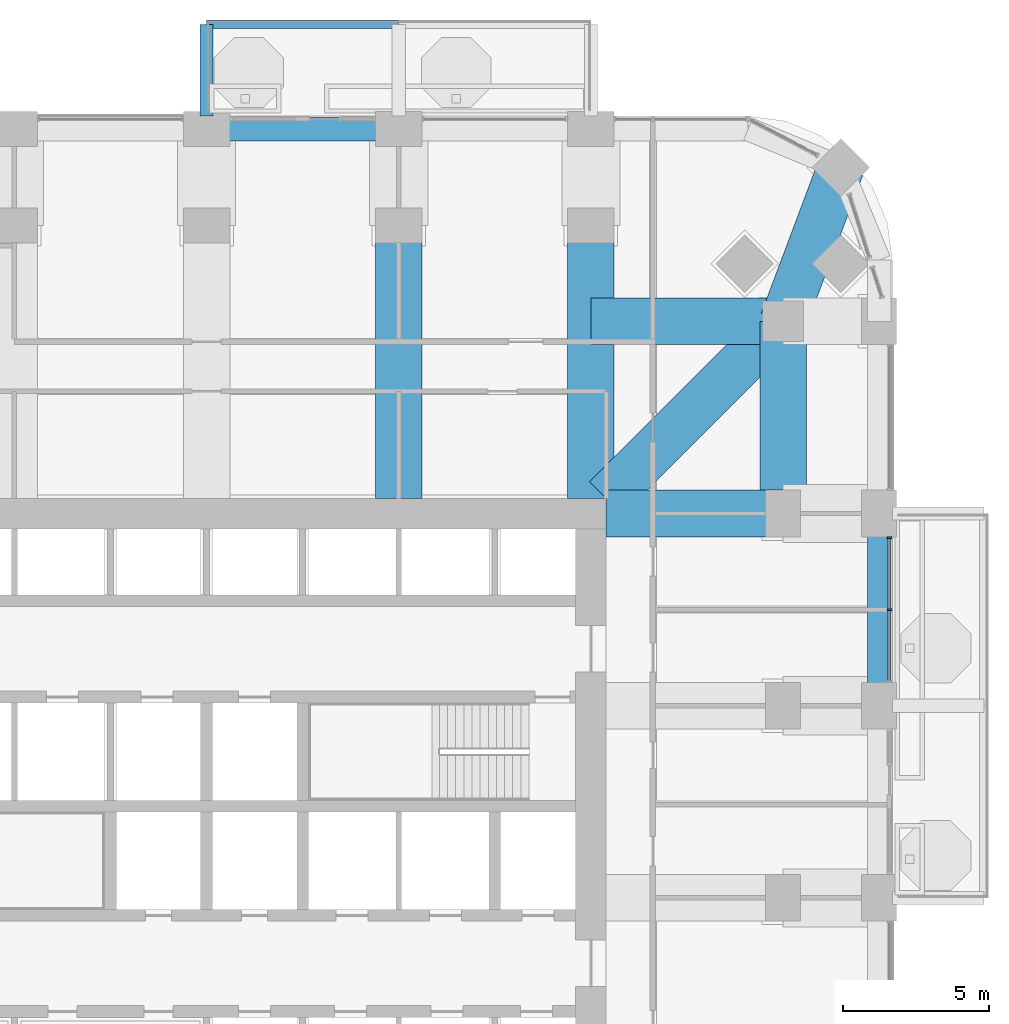
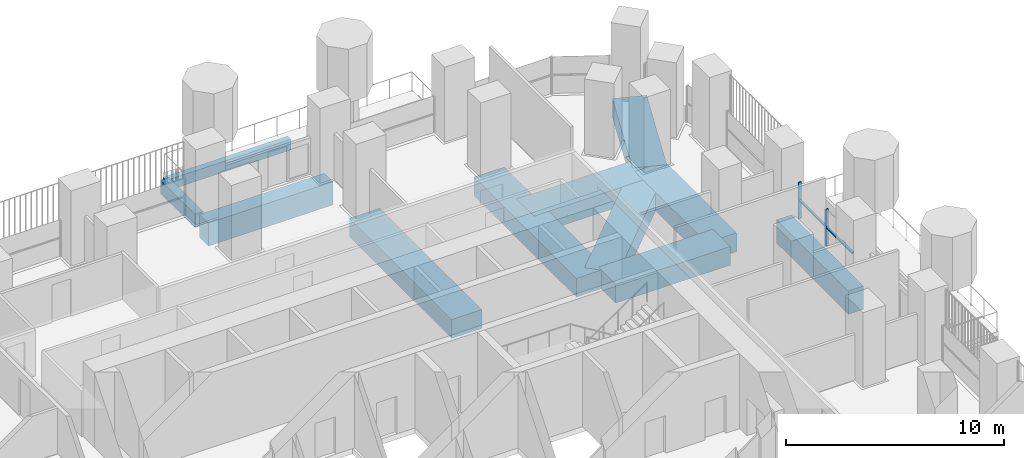
# One storey, part 7 of 22: 11 beams, 4 members, 1 element without a shape of its own.
"""IFC4 building model written with IfcOpenShell, lengths in metres."""

import ifcopenshell
import ifcopenshell.guid

model = None  # the IFC model being written
_history = None  # IfcOwnerHistory: only IFC2X3 demands one
_inside = {}  # id of a spatial element -> (the spatial element, [elements in it])
_under = {}  # id of a project, library or spatial element -> (it, [spatial elements below it])
_declared = {}  # id of a project -> (the project, [libraries it declares])
_typed = {}  # id of a type object -> (the type object, [elements of that type])
_made_of = {}  # id of a material, layer set ... -> (it, [elements and type objects made of it])


def new_model(schema):
    """Start an empty IFC model of exactly this schema.

    Asked for "IFC4X3", IfcOpenShell would pick the latest addendum, in which some entities
    have other attributes; the version numbers below select the first issue.
    IFC2X3 requires an IfcOwnerHistory on every rooted entity: one is made here for all.
    """
    global model, _history
    if schema == "IFC4X3":
        model = ifcopenshell.file(schema_version=(4, 3, 0, 0))
    else:
        model = ifcopenshell.file(schema=schema)
    _inside.clear()
    _under.clear()
    _declared.clear()
    _typed.clear()
    _made_of.clear()
    _history = None
    if model.schema == "IFC2X3":
        org = make("IfcOrganization", Name="unknown")
        user = make(
            "IfcPersonAndOrganization",
            ThePerson=make("IfcPerson", FamilyName="unknown"),
            TheOrganization=org,
        )
        app = make(
            "IfcApplication",
            ApplicationDeveloper=org,
            Version="unknown",
            ApplicationFullName="unknown",
            ApplicationIdentifier="unknown",
        )
        _history = make(
            "IfcOwnerHistory",
            OwningUser=user,
            OwningApplication=app,
            ChangeAction="ADDED",
            CreationDate=0,
        )
    return model


def make(cls, **values):
    """One entity of the class cls with the attributes given. An attribute that is None is left unset."""
    return model.create_entity(
        cls, **{name: value for name, value in values.items() if value is not None}
    )


def rooted(cls, **values):
    """An entity with a GlobalId (a new one), such as an element, a storey or a relation."""
    return make(cls, GlobalId=ifcopenshell.guid.new(), OwnerHistory=_history, **values)


def si_unit(unit_type, name, prefix=None):
    """IfcSIUnit, for example si_unit("LENGTHUNIT", "METRE", prefix="MILLI")."""
    return make("IfcSIUnit", UnitType=unit_type, Prefix=prefix, Name=name)


def assignment(units):
    """IfcUnitAssignment: the units of a project."""
    return None if units is None else make("IfcUnitAssignment", Units=units)


def point(xyz):
    """IfcCartesianPoint."""
    return None if xyz is None else make("IfcCartesianPoint", Coordinates=xyz)


def direction(xyz):
    """IfcDirection."""
    return None if xyz is None else make("IfcDirection", DirectionRatios=xyz)


def frame(location, z_axis=None, x_axis=None):
    """IfcAxis2Placement3D, a coordinate frame: its origin and axes. An axis left out is left unset."""
    return make(
        "IfcAxis2Placement3D",
        Location=point(location),
        Axis=direction(z_axis),
        RefDirection=direction(x_axis),
    )


def frame_2d(location, x_axis=None):
    """IfcAxis2Placement2D, a coordinate frame in the plane: its origin and x axis."""
    return make(
        "IfcAxis2Placement2D", Location=point(location), RefDirection=direction(x_axis)
    )


def origin():
    """The frame at (0, 0, 0) with its axes left unset."""
    return frame((0.0, 0.0, 0.0))


def origin_2d():
    """The frame at (0, 0) in the plane with its x axis left unset."""
    return frame_2d((0.0, 0.0))


def place(relative_to, where):
    """IfcLocalPlacement: puts the frame where relative to a parent placement (None: the world)."""
    return make(
        "IfcLocalPlacement", PlacementRelTo=relative_to, RelativePlacement=where
    )


def context(
    kind, dimensions, precision=None, world=None, true_north=None, identifier=None
):
    """IfcGeometricRepresentationContext, for example the 3D "Model" context."""
    return make(
        "IfcGeometricRepresentationContext",
        ContextIdentifier=identifier,
        ContextType=kind,
        CoordinateSpaceDimension=dimensions,
        Precision=precision,
        WorldCoordinateSystem=world,
        TrueNorth=true_north,
    )


def subcontext(parent, identifier, kind, view, scale=None):
    """IfcGeometricRepresentationSubContext, for example "Body" below "Model"."""
    return make(
        "IfcGeometricRepresentationSubContext",
        ContextIdentifier=identifier,
        ContextType=kind,
        ParentContext=parent,
        TargetScale=scale,
        TargetView=view,
    )


def project(units=None, contexts=None):
    """IfcProject with its units and contexts."""
    return rooted(
        "IfcProject",
        Name="project",
        RepresentationContexts=contexts,
        UnitsInContext=assignment(units),
    )


def spatial(cls, under=None, at=None, **own):
    """A site, building, storey or space (cls), placed at a placement, below another one or the project."""
    s = rooted(cls, ObjectPlacement=at, **own)
    if under is not None:
        _under.setdefault(under.id(), (under, []))[1].append(s)
    return s


def profile(cls, at=None, kind="AREA", **sizes):
    """A parametric profile (cls). Its sizes go by their IFC names, for example OverallWidth=200.0."""
    return make(cls, ProfileType=kind, Position=at, **sizes)


def rectangle(**sizes):
    """IfcRectangleProfileDef."""
    return profile("IfcRectangleProfileDef", **sizes)


def extrude(swept, where, along, depth):
    """IfcExtrudedAreaSolid: the profile swept, set in the frame where, extruded along a direction by depth."""
    return make(
        "IfcExtrudedAreaSolid",
        SweptArea=swept,
        Position=where,
        ExtrudedDirection=direction(along),
        Depth=depth,
    )


def shape(context_of_items, identifier, shape_type, items):
    """IfcShapeRepresentation: the items that make up one representation, for example the "Body"."""
    return make(
        "IfcShapeRepresentation",
        ContextOfItems=context_of_items,
        RepresentationIdentifier=identifier,
        RepresentationType=shape_type,
        Items=items,
    )


def material(Name=None, Category=None):
    """IfcMaterial."""
    return make("IfcMaterial", Name=Name, Category=Category)


def material_profile(
    of_material, cross_section, Name=None, Category=None, Priority=None
):
    """IfcMaterialProfile: a cross section and its material."""
    return make(
        "IfcMaterialProfile",
        Name=Name,
        Material=of_material,
        Profile=cross_section,
        Priority=Priority,
        Category=Category,
    )


def profile_set(profiles, Name=None, composite=None):
    """IfcMaterialProfileSet."""
    return make(
        "IfcMaterialProfileSet",
        Name=Name,
        MaterialProfiles=profiles,
        CompositeProfile=composite,
    )


def made_of(thing, what):
    """Note that an element or type object is made of a material, layer set ...; save() writes the relation."""
    if what is not None:
        _made_of.setdefault(what.id(), (what, []))[1].append(thing)
    return thing


def type_object(cls, material=None, **own):
    """A type object (cls), such as IfcWallType, which elements share."""
    return made_of(rooted(cls, **own), material)


def element(
    cls,
    number,
    at=None,
    inside=None,
    cuts=None,
    type_object=None,
    material=None,
    context=None,
    identifier="Body",
    shape_type=None,
    held_by="IfcProductDefinitionShape",
    body=None,
    shapes=None,
    **own,
):
    """One element of the class cls, such as IfcWall. Its Tag is "e" and its number.

    at: its placement. inside: the storey or other place that contains it. cuts: it is an
    opening in that element (IfcRelVoidsElement). A single representation is given by context,
    identifier, shape_type and body (its items); several are given by shapes. held_by: the class
    of the entity that holds the representations. save() writes the other relations.
    """
    e = rooted(cls, Tag="e%d" % number, ObjectPlacement=at, **own)
    if body is not None:
        shapes = [shape(context, identifier, shape_type, body)]
    if shapes is not None:
        e.Representation = make(held_by, Representations=shapes)
    if inside is not None:
        _inside.setdefault(inside.id(), (inside, []))[1].append(e)
    if cuts is not None:
        rooted(
            "IfcRelVoidsElement", RelatingBuildingElement=cuts, RelatedOpeningElement=e
        )
    if type_object is not None:
        _typed.setdefault(type_object.id(), (type_object, []))[1].append(e)
    return made_of(e, material)


def aggregate(whole, parts):
    """IfcRelAggregates: a whole, such as a stair, and the parts it consists of."""
    return rooted("IfcRelAggregates", RelatingObject=whole, RelatedObjects=parts)


def save(model, path):
    """Write the relations noted so far, then the file.

    IfcRelAggregates (storeys below a building ...), IfcRelContainedInSpatialStructure (elements
    in a storey), IfcRelDefinesByType, IfcRelAssociatesMaterial and IfcRelDeclares: one each for
    every whole, place, type object, material and project.
    """
    for whole, parts in _under.values():
        aggregate(whole, parts)
    for where, things in _inside.values():
        rooted(
            "IfcRelContainedInSpatialStructure",
            RelatedElements=things,
            RelatingStructure=where,
        )
    for kind, things in _typed.values():
        rooted("IfcRelDefinesByType", RelatedObjects=things, RelatingType=kind)
    for what, things in _made_of.values():
        rooted("IfcRelAssociatesMaterial", RelatedObjects=things, RelatingMaterial=what)
    for by, libraries in _declared.values():
        rooted("IfcRelDeclares", RelatingContext=by, RelatedDefinitions=libraries)
    model.write(path)


model = new_model("IFC4")

# Units and contexts
model_context = context("Model", 3, precision=1e-05, world=origin(), true_north=direction((0.0, 1.0)))
body_context = subcontext(model_context, "Body", "Model", "MODEL_VIEW")
ifc_project = project(units=[si_unit("LENGTHUNIT", "METRE"), si_unit("AREAUNIT", "SQUARE_METRE"), si_unit("VOLUMEUNIT", "CUBIC_METRE"), si_unit("PLANEANGLEUNIT", "RADIAN"), si_unit("MASSUNIT", "GRAM", prefix="KILO")], contexts=[model_context])

# Site, building, storey
site_placement = place(None, origin())
site = spatial("IfcSite", under=ifc_project, at=site_placement, CompositionType="ELEMENT")
building_placement = place(site_placement, origin())
building = spatial("IfcBuilding", under=site, at=building_placement, Name="Cobogo Forest Laboratory Tower", CompositionType="ELEMENT")
storey_placement = place(building_placement, frame((0.0, 0.0, 145.199951171875)))
storey = spatial("IfcBuildingStorey", under=building, at=storey_placement, Name="L33", CompositionType="ELEMENT", Elevation=145.199951171875)

# Beams
ifc_material_1 = material(Name="Concrete HA-40 (C40/50)", Category="concrete")
ifc_material_profile_1 = material_profile(ifc_material_1, rectangle(XDim=0.449951171875, YDim=0.75, at=origin_2d()), Name="RC 450x750")
ifc_profile_set_1 = profile_set([ifc_material_profile_1], Name="Concrete HA-40 (C40/50)")
beam_type_1 = type_object("IfcBeamType", Name="Balcony cantilever beam 450x750", PredefinedType="BEAM", material=ifc_profile_set_1)
beam_1_placement = place(storey_placement, frame((26.39990234375, 46.64990234375, -0.625), z_axis=(0.0, 1.0, 0.0), x_axis=(-1.0, 0.0, 0.0)))
element("IfcBeam", 1, at=beam_1_placement, inside=storey, type_object=beam_type_1, Name="CB1 BAL-N1-C1 L33", PredefinedType="BEAM", context=body_context, shape_type="SweptSolid", body=[
    extrude(rectangle(XDim=0.449951171875, YDim=0.75, at=origin_2d()), origin(), (0.0, 0.0, 1.0), 3.150146484375),
])
ifc_material_profile_2 = material_profile(ifc_material_1, rectangle(XDim=0.300048828125, YDim=0.60009765625, at=origin_2d()), Name="RC 300x600")
ifc_profile_set_2 = profile_set([ifc_material_profile_2], Name="Concrete HA-40 (C40/50)")
beam_type_2 = type_object("IfcBeamType", Name="Balcony edge beam 300x600", PredefinedType="BEAM", material=ifc_profile_set_2)
beam_2_placement = place(storey_placement, frame((26.39990234375, 49.800048828125, -0.550048828125), z_axis=(1.0, 0.0, 0.0), x_axis=(0.0, 1.0, 0.0)))
element("IfcBeam", 2, at=beam_2_placement, inside=storey, type_object=beam_type_2, Name="BB1 BAL-N1-T1 L33", PredefinedType="BEAM", context=body_context, shape_type="SweptSolid", body=[
    extrude(rectangle(XDim=0.300048828125, YDim=0.60009765625, at=origin_2d()), origin(), (0.0, 0.0, 1.0), 6.60009765625),
])
ifc_material_2 = material(Name="Concrete HA-50 (C50/60)", Category="concrete")
ifc_material_profile_3 = material_profile(ifc_material_2, rectangle(XDim=1.60009765625, YDim=1.050048828125, at=origin_2d()), Name="RC 1600x1050")
ifc_profile_set_3 = profile_set([ifc_material_profile_3], Name="Concrete HA-50 (C50/60)")
beam_type_3 = type_object("IfcBeamType", Name="Laboratory floor wide beam 1600x1050", PredefinedType="BEAM", material=ifc_profile_set_3)
for number, where, z_axis, x_axis, name in (
    (3, (33.0, 33.52490234375, -0.824951171875), (0.0, 1.0, 0.0), (-1.0, 0.0, 0.0), "RB8 R-6-N L33"),
    (4, (39.60009765625, 33.52490234375, -0.824951171875), (0.0, 1.0, 0.0), (-1.0, 0.0, 0.0), "RB8 R-7-N L33"),
):
    element("IfcBeam", number, at=place(storey_placement, frame(where, z_axis=z_axis, x_axis=x_axis)), inside=storey, type_object=beam_type_3, Name=name, PredefinedType="BEAM", context=body_context, shape_type="SweptSolid", body=[
        extrude(rectangle(XDim=1.60009765625, YDim=1.050048828125, at=origin_2d()), origin(), (0.0, 0.0, 1.0), 9.375),
    ])
beam_3_placement = place(storey_placement, frame((40.125, 33.0, -0.824951171875), z_axis=(1.0, 0.0, 0.0), x_axis=(0.0, 1.0, 0.0)))
element("IfcBeam", 5, at=beam_3_placement, inside=storey, type_object=beam_type_3, Name="RB8 R-F-E L33", PredefinedType="BEAM", context=body_context, shape_type="SweptSolid", body=[
    extrude(rectangle(XDim=1.60009765625, YDim=1.050048828125, at=origin_2d()), origin(), (0.0, 0.0, 1.0), 6.074951171875),
])
beam_4_placement = place(storey_placement, frame((46.199951171875, 39.60009765625, -0.824951171875), z_axis=(0.0, -1.0, 0.0), x_axis=(1.0, 0.0, 0.0)))
element("IfcBeam", 6, at=beam_4_placement, inside=storey, type_object=beam_type_3, Name="RB8 G-NE-XC L33", PredefinedType="BEAM", context=body_context, shape_type="SweptSolid", body=[
    extrude(rectangle(XDim=1.60009765625, YDim=1.050048828125, at=origin_2d()), origin(), (0.0, 0.0, 1.0), 6.60009765625),
])
beam_5_placement = place(storey_placement, frame((46.199951171875, 39.60009765625, -0.824951171875), z_axis=(-1.0, 0.0, 0.0), x_axis=(0.0, -1.0, 0.0)))
element("IfcBeam", 7, at=beam_5_placement, inside=storey, type_object=beam_type_3, Name="RB8 G-NE-YC L33", PredefinedType="BEAM", context=body_context, shape_type="SweptSolid", body=[
    extrude(rectangle(XDim=1.60009765625, YDim=1.050048828125, at=origin_2d()), origin(), (0.0, 0.0, 1.0), 6.599853515625),
])
beam_6_placement = place(storey_placement, frame((48.181884765625, 44.882080078125, -0.824951171875), z_axis=(-0.351308391925, -0.936259800356, 0.0), x_axis=(0.936259800356, -0.351308391925, 0.0)))
element("IfcBeam", 8, at=beam_6_placement, inside=storey, type_object=beam_type_3, Name="RB8 G-NE-D1 L33", PredefinedType="BEAM", context=body_context, shape_type="SweptSolid", body=[
    extrude(rectangle(XDim=1.60009765625, YDim=1.050048828125, at=origin_2d()), origin(), (0.0, 0.0, 1.0), 5.6416015625),
])
beam_7_placement = place(storey_placement, frame((46.199951171875, 39.60009765625, -0.824951171875), z_axis=(-0.707092572697, -0.70712098939, 0.0), x_axis=(0.70712098939, -0.707092572697, 0.0)))
element("IfcBeam", 9, at=beam_7_placement, inside=storey, type_object=beam_type_3, Name="RB8 G-NE-D2 L33", PredefinedType="BEAM", context=body_context, shape_type="SweptSolid", body=[
    extrude(rectangle(XDim=1.60009765625, YDim=1.050048828125, at=origin_2d()), origin(), (0.0, 0.0, 1.0), 8.591552734375),
])

# Curtain wall, members
ifc_material_3 = material(Name="Aluminium curtain wall", Category="aluminium")
curtain_wall_type = type_object("IfcCurtainWallType", Name="CW-1 unitised curtain wall, clear glazing, laboratory floors zones A and B", PredefinedType="USERDEFINED", material=ifc_material_3)
curtain_wall_placement = place(storey_placement, origin())
curtain_wall = element("IfcCurtainWall", 10, at=curtain_wall_placement, inside=storey, type_object=curtain_wall_type, Name="Curtain wall 13 L33", ObjectType="UNITISED CURTAIN WALL", PredefinedType="USERDEFINED")
ifc_material_4 = material(Name="Aluminium mullion", Category="aluminium")
ifc_material_profile_4 = material_profile(ifc_material_4, rectangle(XDim=0.06005859375, YDim=0.159912109375, at=origin_2d()), Name="AL 60x160")
ifc_profile_set_4 = profile_set([ifc_material_profile_4], Name="Aluminium mullion")
member_type_1 = type_object("IfcMemberType", Name="MU-1 aluminium mullion 60x160", PredefinedType="MULLION", material=ifc_profile_set_4)
member_1_placement = place(storey_placement, frame((49.85009765625, 29.699951171875, 0.0), z_axis=(0.0, 0.0, 1.0), x_axis=(0.0, 1.0, 0.0)))
member_1 = element("IfcMember", 11, at=member_1_placement, type_object=member_type_1, Name="CW-1 mullion 2", PredefinedType="MULLION", context=body_context, shape_type="SweptSolid", body=[
    extrude(rectangle(XDim=0.06005859375, YDim=0.159912109375, at=origin_2d()), origin(), (0.0, 0.0, 1.0), 2.050048828125),
])
member_2_placement = place(storey_placement, frame((49.85009765625, 32.169921875, 0.0), z_axis=(0.0, 0.0, 1.0), x_axis=(0.0, 1.0, 0.0)))
member_2 = element("IfcMember", 12, at=member_2_placement, type_object=member_type_1, Name="CW-1 mullion 3", PredefinedType="MULLION", context=body_context, shape_type="SweptSolid", body=[
    extrude(rectangle(XDim=0.06005859375, YDim=0.159912109375, at=origin_2d()), origin(), (0.0, 0.0, 1.0), 2.050048828125),
])

# Beams
ifc_material_profile_5 = material_profile(ifc_material_1, rectangle(XDim=0.800048828125, YDim=1.300048828125, at=origin_2d()), Name="RC 800x1300")
ifc_profile_set_5 = profile_set([ifc_material_profile_5], Name="Concrete HA-40 (C40/50)")
beam_type_4 = type_object("IfcBeamType", Name="Perimeter edge beam 800x1300", PredefinedType="BEAM", material=ifc_profile_set_5)
for number, where, z_axis, x_axis, name in (
    (13, (49.5, 26.39990234375, -0.949951171875), (0.0, 1.0, 0.0), (-1.0, 0.0, 0.0), "EB2 E-E4 L33"),
    (14, (26.39990234375, 46.199951171875, -0.949951171875), (1.0, 0.0, 0.0), (0.0, 1.0, 0.0), "EB2 E-N3 L33"),
):
    element("IfcBeam", number, at=place(storey_placement, frame(where, z_axis=z_axis, x_axis=x_axis)), inside=storey, type_object=beam_type_4, Name=name, PredefinedType="BEAM", context=body_context, shape_type="SweptSolid", body=[
        extrude(rectangle(XDim=0.800048828125, YDim=1.300048828125, at=origin_2d()), origin(), (0.0, 0.0, 1.0), 6.60009765625),
    ])

# Member
ifc_material_5 = material(Name="Aluminium transom", Category="aluminium")
ifc_material_profile_6 = material_profile(ifc_material_5, rectangle(XDim=0.1201171875, YDim=0.06005859375, at=origin_2d()), Name="AL 60x120")
ifc_profile_set_6 = profile_set([ifc_material_profile_6], Name="Aluminium transom")
member_type_2 = type_object("IfcMemberType", Name="TR-1 aluminium transom 60x120", PredefinedType="USERDEFINED", material=ifc_profile_set_6)
member_3_placement = place(storey_placement, frame((49.85009765625, 27.260009765625, 1.050048828125), z_axis=(0.0, 1.0, 0.0), x_axis=(-1.0, 0.0, 0.0)))
member_3 = element("IfcMember", 15, at=member_3_placement, type_object=member_type_2, Name="CW-1 transom 1.1", ObjectType="TRANSOM", PredefinedType="USERDEFINED", context=body_context, shape_type="SweptSolid", body=[
    extrude(rectangle(XDim=0.1201171875, YDim=0.06005859375, at=origin_2d()), origin(), (0.0, 0.0, 1.0), 2.409912109375),
])

member_4_placement = place(storey_placement, frame((49.85009765625, 29.72998046875, 1.050048828125), z_axis=(0.0, 1.0, 0.0), x_axis=(-1.0, 0.0, 0.0)))
member_4 = element("IfcMember", 16, at=member_4_placement, type_object=member_type_2, Name="CW-1 transom 2.1", ObjectType="TRANSOM", PredefinedType="USERDEFINED", context=body_context, shape_type="SweptSolid", body=[
    extrude(rectangle(XDim=0.1201171875, YDim=0.06005859375, at=origin_2d()), origin(), (0.0, 0.0, 1.0), 2.409912109375),
])

aggregate(curtain_wall, [member_1, member_2, member_3, member_4])

save(model, "model.ifc")
